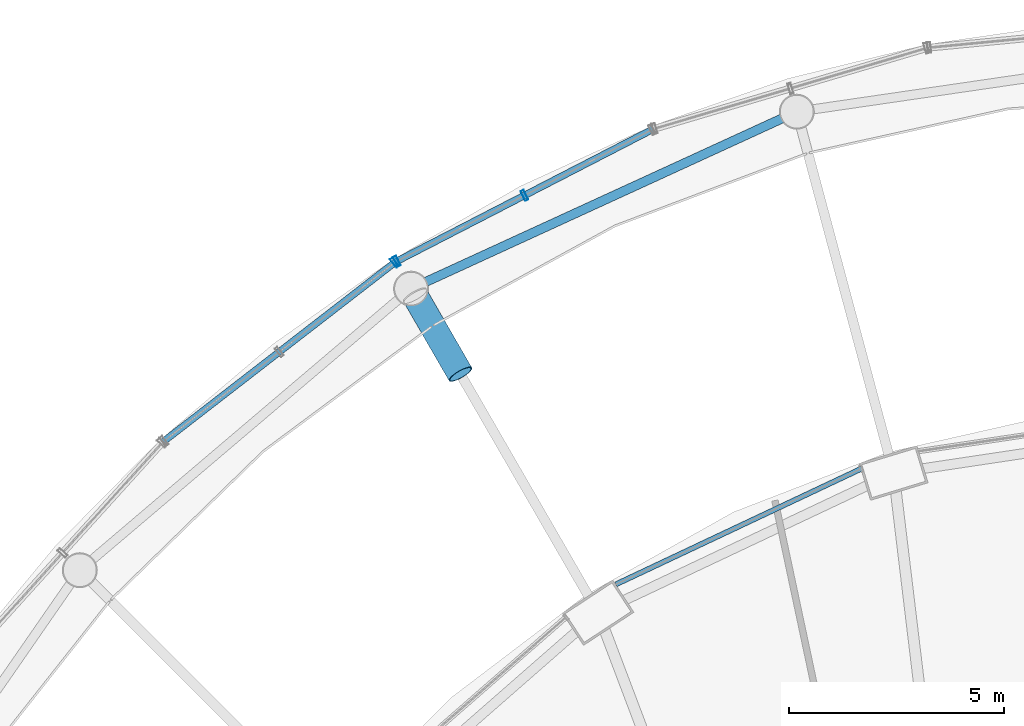
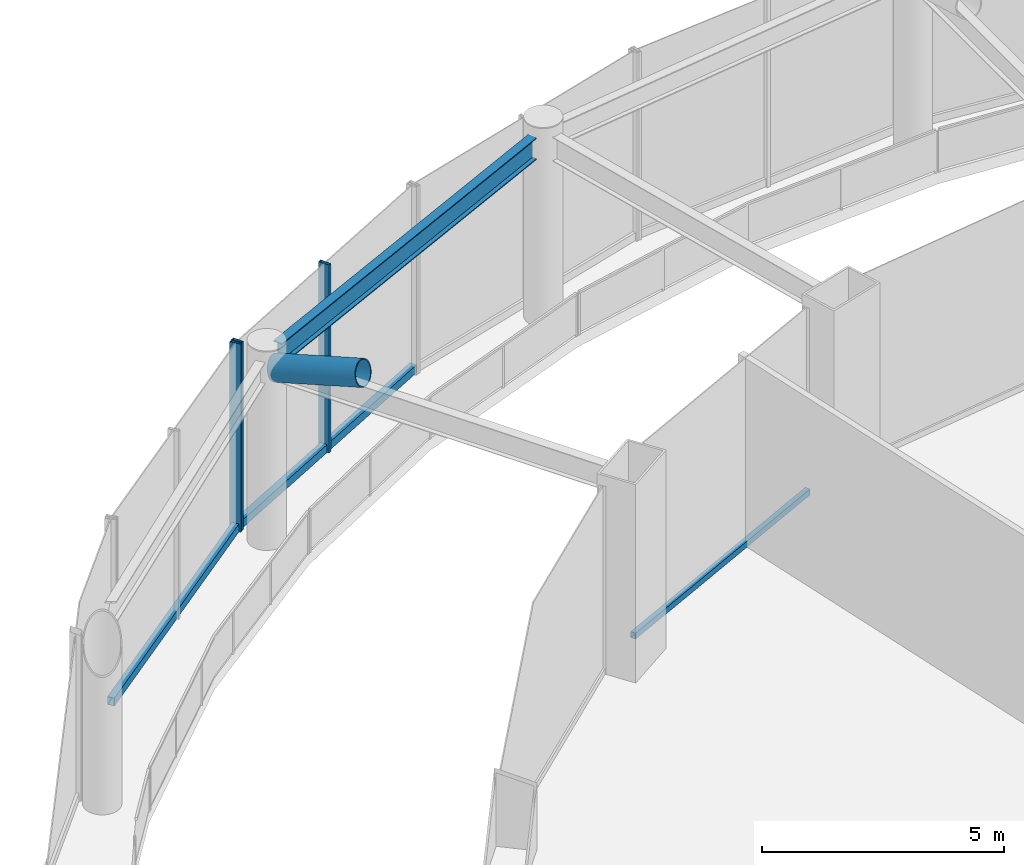
# One storey, part 33 of 52: 7 members, 1 beam, 3 elements without a shape of their own.
"""IFC4 building model written with IfcOpenShell, lengths in metres."""

import ifcopenshell
import ifcopenshell.guid

model = None  # the IFC model being written
_history = None  # IfcOwnerHistory: only IFC2X3 demands one
_inside = {}  # id of a spatial element -> (the spatial element, [elements in it])
_under = {}  # id of a project, library or spatial element -> (it, [spatial elements below it])
_declared = {}  # id of a project -> (the project, [libraries it declares])
_typed = {}  # id of a type object -> (the type object, [elements of that type])
_made_of = {}  # id of a material, layer set ... -> (it, [elements and type objects made of it])


def new_model(schema):
    """Start an empty IFC model of exactly this schema.

    Asked for "IFC4X3", IfcOpenShell would pick the latest addendum, in which some entities
    have other attributes; the version numbers below select the first issue.
    IFC2X3 requires an IfcOwnerHistory on every rooted entity: one is made here for all.
    """
    global model, _history
    if schema == "IFC4X3":
        model = ifcopenshell.file(schema_version=(4, 3, 0, 0))
    else:
        model = ifcopenshell.file(schema=schema)
    _inside.clear()
    _under.clear()
    _declared.clear()
    _typed.clear()
    _made_of.clear()
    _history = None
    if model.schema == "IFC2X3":
        org = make("IfcOrganization", Name="unknown")
        user = make(
            "IfcPersonAndOrganization",
            ThePerson=make("IfcPerson", FamilyName="unknown"),
            TheOrganization=org,
        )
        app = make(
            "IfcApplication",
            ApplicationDeveloper=org,
            Version="unknown",
            ApplicationFullName="unknown",
            ApplicationIdentifier="unknown",
        )
        _history = make(
            "IfcOwnerHistory",
            OwningUser=user,
            OwningApplication=app,
            ChangeAction="ADDED",
            CreationDate=0,
        )
    return model


def make(cls, **values):
    """One entity of the class cls with the attributes given. An attribute that is None is left unset."""
    return model.create_entity(
        cls, **{name: value for name, value in values.items() if value is not None}
    )


def rooted(cls, **values):
    """An entity with a GlobalId (a new one), such as an element, a storey or a relation."""
    return make(cls, GlobalId=ifcopenshell.guid.new(), OwnerHistory=_history, **values)


def si_unit(unit_type, name, prefix=None):
    """IfcSIUnit, for example si_unit("LENGTHUNIT", "METRE", prefix="MILLI")."""
    return make("IfcSIUnit", UnitType=unit_type, Prefix=prefix, Name=name)


def assignment(units):
    """IfcUnitAssignment: the units of a project."""
    return None if units is None else make("IfcUnitAssignment", Units=units)


def point(xyz):
    """IfcCartesianPoint."""
    return None if xyz is None else make("IfcCartesianPoint", Coordinates=xyz)


def direction(xyz):
    """IfcDirection."""
    return None if xyz is None else make("IfcDirection", DirectionRatios=xyz)


def frame(location, z_axis=None, x_axis=None):
    """IfcAxis2Placement3D, a coordinate frame: its origin and axes. An axis left out is left unset."""
    return make(
        "IfcAxis2Placement3D",
        Location=point(location),
        Axis=direction(z_axis),
        RefDirection=direction(x_axis),
    )


def frame_2d(location, x_axis=None):
    """IfcAxis2Placement2D, a coordinate frame in the plane: its origin and x axis."""
    return make(
        "IfcAxis2Placement2D", Location=point(location), RefDirection=direction(x_axis)
    )


def origin():
    """The frame at (0, 0, 0) with its axes left unset."""
    return frame((0.0, 0.0, 0.0))


def origin_2d():
    """The frame at (0, 0) in the plane with its x axis left unset."""
    return frame_2d((0.0, 0.0))


def place(relative_to, where):
    """IfcLocalPlacement: puts the frame where relative to a parent placement (None: the world)."""
    return make(
        "IfcLocalPlacement", PlacementRelTo=relative_to, RelativePlacement=where
    )


def context(
    kind, dimensions, precision=None, world=None, true_north=None, identifier=None
):
    """IfcGeometricRepresentationContext, for example the 3D "Model" context."""
    return make(
        "IfcGeometricRepresentationContext",
        ContextIdentifier=identifier,
        ContextType=kind,
        CoordinateSpaceDimension=dimensions,
        Precision=precision,
        WorldCoordinateSystem=world,
        TrueNorth=true_north,
    )


def subcontext(parent, identifier, kind, view, scale=None):
    """IfcGeometricRepresentationSubContext, for example "Body" below "Model"."""
    return make(
        "IfcGeometricRepresentationSubContext",
        ContextIdentifier=identifier,
        ContextType=kind,
        ParentContext=parent,
        TargetScale=scale,
        TargetView=view,
    )


def project(units=None, contexts=None):
    """IfcProject with its units and contexts."""
    return rooted(
        "IfcProject",
        Name="project",
        RepresentationContexts=contexts,
        UnitsInContext=assignment(units),
    )


def spatial(cls, under=None, at=None, **own):
    """A site, building, storey or space (cls), placed at a placement, below another one or the project."""
    s = rooted(cls, ObjectPlacement=at, **own)
    if under is not None:
        _under.setdefault(under.id(), (under, []))[1].append(s)
    return s


def profile(cls, at=None, kind="AREA", **sizes):
    """A parametric profile (cls). Its sizes go by their IFC names, for example OverallWidth=200.0."""
    return make(cls, ProfileType=kind, Position=at, **sizes)


def hollow_rectangle(**sizes):
    """IfcRectangleHollowProfileDef."""
    return profile("IfcRectangleHollowProfileDef", **sizes)


def hollow_circle(**sizes):
    """IfcCircleHollowProfileDef."""
    return profile("IfcCircleHollowProfileDef", **sizes)


def i_section(**sizes):
    """IfcIShapeProfileDef."""
    return profile("IfcIShapeProfileDef", **sizes)


def extrude(swept, where, along, depth):
    """IfcExtrudedAreaSolid: the profile swept, set in the frame where, extruded along a direction by depth."""
    return make(
        "IfcExtrudedAreaSolid",
        SweptArea=swept,
        Position=where,
        ExtrudedDirection=direction(along),
        Depth=depth,
    )


def shape(context_of_items, identifier, shape_type, items):
    """IfcShapeRepresentation: the items that make up one representation, for example the "Body"."""
    return make(
        "IfcShapeRepresentation",
        ContextOfItems=context_of_items,
        RepresentationIdentifier=identifier,
        RepresentationType=shape_type,
        Items=items,
    )


def material(Name=None, Category=None):
    """IfcMaterial."""
    return make("IfcMaterial", Name=Name, Category=Category)


def layer(
    of_material, thickness, ventilated=None, Name=None, Category=None, Priority=None
):
    """IfcMaterialLayer: one layer of a wall or slab, of a material (None: an air gap)."""
    return make(
        "IfcMaterialLayer",
        Material=of_material,
        LayerThickness=thickness,
        IsVentilated=ventilated,
        Name=Name,
        Category=Category,
        Priority=Priority,
    )


def layer_set(layers, Name=None):
    """IfcMaterialLayerSet."""
    return make("IfcMaterialLayerSet", MaterialLayers=layers, LayerSetName=Name)


def material_profile(
    of_material, cross_section, Name=None, Category=None, Priority=None
):
    """IfcMaterialProfile: a cross section and its material."""
    return make(
        "IfcMaterialProfile",
        Name=Name,
        Material=of_material,
        Profile=cross_section,
        Priority=Priority,
        Category=Category,
    )


def profile_set(profiles, Name=None, composite=None):
    """IfcMaterialProfileSet."""
    return make(
        "IfcMaterialProfileSet",
        Name=Name,
        MaterialProfiles=profiles,
        CompositeProfile=composite,
    )


def made_of(thing, what):
    """Note that an element or type object is made of a material, layer set ...; save() writes the relation."""
    if what is not None:
        _made_of.setdefault(what.id(), (what, []))[1].append(thing)
    return thing


def type_object(cls, material=None, **own):
    """A type object (cls), such as IfcWallType, which elements share."""
    return made_of(rooted(cls, **own), material)


def element(
    cls,
    number,
    at=None,
    inside=None,
    cuts=None,
    type_object=None,
    material=None,
    context=None,
    identifier="Body",
    shape_type=None,
    held_by="IfcProductDefinitionShape",
    body=None,
    shapes=None,
    **own,
):
    """One element of the class cls, such as IfcWall. Its Tag is "e" and its number.

    at: its placement. inside: the storey or other place that contains it. cuts: it is an
    opening in that element (IfcRelVoidsElement). A single representation is given by context,
    identifier, shape_type and body (its items); several are given by shapes. held_by: the class
    of the entity that holds the representations. save() writes the other relations.
    """
    e = rooted(cls, Tag="e%d" % number, ObjectPlacement=at, **own)
    if body is not None:
        shapes = [shape(context, identifier, shape_type, body)]
    if shapes is not None:
        e.Representation = make(held_by, Representations=shapes)
    if inside is not None:
        _inside.setdefault(inside.id(), (inside, []))[1].append(e)
    if cuts is not None:
        rooted(
            "IfcRelVoidsElement", RelatingBuildingElement=cuts, RelatedOpeningElement=e
        )
    if type_object is not None:
        _typed.setdefault(type_object.id(), (type_object, []))[1].append(e)
    return made_of(e, material)


def aggregate(whole, parts):
    """IfcRelAggregates: a whole, such as a stair, and the parts it consists of."""
    return rooted("IfcRelAggregates", RelatingObject=whole, RelatedObjects=parts)


def save(model, path):
    """Write the relations noted so far, then the file.

    IfcRelAggregates (storeys below a building ...), IfcRelContainedInSpatialStructure (elements
    in a storey), IfcRelDefinesByType, IfcRelAssociatesMaterial and IfcRelDeclares: one each for
    every whole, place, type object, material and project.
    """
    for whole, parts in _under.values():
        aggregate(whole, parts)
    for where, things in _inside.values():
        rooted(
            "IfcRelContainedInSpatialStructure",
            RelatedElements=things,
            RelatingStructure=where,
        )
    for kind, things in _typed.values():
        rooted("IfcRelDefinesByType", RelatedObjects=things, RelatingType=kind)
    for what, things in _made_of.values():
        rooted("IfcRelAssociatesMaterial", RelatedObjects=things, RelatingMaterial=what)
    for by, libraries in _declared.values():
        rooted("IfcRelDeclares", RelatingContext=by, RelatedDefinitions=libraries)
    model.write(path)


model = new_model("IFC4")

# Units and contexts
model_context = context("Model", 3, precision=1e-05, world=origin(), true_north=direction((0.0, 1.0)))
body_context = subcontext(model_context, "Body", "Model", "MODEL_VIEW")
ifc_project = project(units=[si_unit("LENGTHUNIT", "METRE"), si_unit("AREAUNIT", "SQUARE_METRE"), si_unit("VOLUMEUNIT", "CUBIC_METRE"), si_unit("PLANEANGLEUNIT", "RADIAN"), si_unit("MASSUNIT", "GRAM", prefix="KILO")], contexts=[model_context])

# Site, building, storey
site_placement = place(None, origin())
site = spatial("IfcSite", under=ifc_project, at=site_placement, CompositionType="ELEMENT")
building_placement = place(site_placement, origin())
building = spatial("IfcBuilding", under=site, at=building_placement, Name="Nagisa Residences", CompositionType="ELEMENT")
storey_placement = place(building_placement, frame((0.0, 0.0, 22.0)))
storey = spatial("IfcBuildingStorey", under=building, at=storey_placement, Name="L04", CompositionType="ELEMENT", Elevation=22.0)

# Beam
ifc_material_1 = material(Name="Steel ASTM A572 Gr 50", Category="steel")
ifc_material_profile_1 = material_profile(ifc_material_1, i_section(OverallWidth=0.214111328125, OverallDepth=0.549072265625, WebThickness=0.0146484375, FlangeThickness=0.023681640625, at=origin_2d()), Name="W530x138")
ifc_profile_set_1 = profile_set([ifc_material_profile_1], Name="Steel ASTM A572 Gr 50")
beam_type = type_object("IfcBeamType", Name="Atrium ring beam W530x138", PredefinedType="BEAM", material=ifc_profile_set_1)
beam_placement = place(storey_placement, frame((-6.37939453125, 39.635009765625, 4.4755859375), z_axis=(-0.908914420706, -0.416982704477, 0.0), x_axis=(0.416982704477, -0.908914420706, 0.0)))
element("IfcBeam", 1, at=beam_placement, inside=storey, type_object=beam_type, Name="beam:L04:rab08", PredefinedType="BEAM", context=body_context, shape_type="SweptSolid", body=[
    extrude(i_section(OverallWidth=0.214111328125, OverallDepth=0.549072265625, WebThickness=0.0146484375, FlangeThickness=0.023681640625, at=origin_2d()), origin(), (0.0, 0.0, 1.0), 9.097900390625),
])

# Curtain wall, members
ifc_material_2 = material(Name="Stainless steel curtain wall system", Category="steel")
ifc_layer_1 = layer(ifc_material_2, 0.159912109375)
ifc_layer_set_1 = layer_set([ifc_layer_1], Name="CW3 CURTAIN WALL")
curtain_wall_type_1 = type_object("IfcCurtainWallType", Name="CW3 CURTAIN WALL", PredefinedType="NOTDEFINED", material=ifc_layer_set_1)
curtain_wall_1_placement = place(storey_placement, origin())
curtain_wall_1 = element("IfcCurtainWall", 2, at=curtain_wall_1_placement, inside=storey, type_object=curtain_wall_type_1, Name="cw:CW3:L04:11", PredefinedType="NOTDEFINED")
ifc_material_3 = material(Name="Stainless steel", Category="steel")
ifc_material_profile_2 = material_profile(ifc_material_3, hollow_rectangle(XDim=0.25, YDim=0.080078125, WallThickness=0.008056640625, at=origin_2d()), Name="CW3 MULLION 250x80")
ifc_profile_set_2 = profile_set([ifc_material_profile_2], Name="Stainless steel")
member_type_1 = type_object("IfcMemberType", Name="CW3 MULLION 250x80", PredefinedType="MULLION", material=ifc_profile_set_2)
member_1_placement = place(storey_placement, frame((-12.36181640625, 37.848876953125, 0.0), z_axis=(0.0, 0.0, 1.0), x_axis=(0.45812598783, -0.888887270285, 0.0)))
member_1 = element("IfcMember", 3, at=member_1_placement, type_object=member_type_1, Name="CW3 mullion", PredefinedType="MULLION", context=body_context, shape_type="SweptSolid", body=[
    extrude(hollow_rectangle(XDim=0.25, YDim=0.080078125, WallThickness=0.008056640625, at=origin_2d()), origin(), (0.0, 0.0, 1.0), 4.739990234375),
])
member_2_placement = place(storey_placement, frame((-15.327880859375, 36.3203125, 0.0), z_axis=(0.0, 0.0, 1.0), x_axis=(0.45812598783, -0.888887270285, 0.0)))
member_2 = element("IfcMember", 4, at=member_2_placement, type_object=member_type_1, Name="CW3 mullion", PredefinedType="MULLION", context=body_context, shape_type="SweptSolid", body=[
    extrude(hollow_rectangle(XDim=0.25, YDim=0.080078125, WallThickness=0.008056640625, at=origin_2d()), origin(), (0.0, 0.0, 1.0), 4.739990234375),
])

# Curtain wall, member
curtain_wall_2_placement = place(storey_placement, origin())
curtain_wall_2 = element("IfcCurtainWall", 5, at=curtain_wall_2_placement, inside=storey, type_object=curtain_wall_type_1, Name="cw:CW3:L04:12", PredefinedType="NOTDEFINED")
member_3_placement = place(storey_placement, frame((-15.382568359375, 36.285400390625, 0.0), z_axis=(0.0, 0.0, 1.0), x_axis=(0.612034757172, -0.790830864353, 0.0)))
member_3 = element("IfcMember", 6, at=member_3_placement, type_object=member_type_1, Name="CW3 mullion", PredefinedType="MULLION", context=body_context, shape_type="SweptSolid", body=[
    extrude(hollow_rectangle(XDim=0.25, YDim=0.080078125, WallThickness=0.008056640625, at=origin_2d()), origin(), (0.0, 0.0, 1.0), 4.739990234375),
])

# Member
ifc_material_4 = material(Name="Stainless steel", Category="steel")
ifc_material_profile_3 = material_profile(ifc_material_4, hollow_rectangle(XDim=0.159912109375, YDim=0.199951171875, WallThickness=0.008056640625, at=origin_2d()), Name="CW3 TRANSOM 160x200")
ifc_profile_set_3 = profile_set([ifc_material_profile_3], Name="Stainless steel")
member_type_2 = type_object("IfcMemberType", Name="CW3 TRANSOM 160x200", PredefinedType="USERDEFINED", material=ifc_profile_set_3)
member_4_placement = place(storey_placement, frame((-9.360107421875, 39.39599609375, 0.10009765625), z_axis=(-0.888887130152, -0.458126259726, 0.0), x_axis=(0.458126259726, -0.888887130152, 0.0)))
member_4 = element("IfcMember", 7, at=member_4_placement, type_object=member_type_2, Name="CW3 transom", ObjectType="TRANSOM", PredefinedType="USERDEFINED", context=body_context, shape_type="SweptSolid", body=[
    extrude(hollow_rectangle(XDim=0.159912109375, YDim=0.199951171875, WallThickness=0.008056640625, at=origin_2d()), origin(), (0.0, 0.0, 1.0), 6.753662109375),
])

aggregate(curtain_wall_1, [member_1, member_2, member_4])

member_5_placement = place(storey_placement, frame((-15.35107421875, 36.309814453125, 0.10009765625), z_axis=(-0.790821490188, -0.612046869656, 0.0), x_axis=(0.612046869656, -0.790821490188, 0.0)))
member_5 = element("IfcMember", 8, at=member_5_placement, type_object=member_type_2, Name="CW3 transom", ObjectType="TRANSOM", PredefinedType="USERDEFINED", context=body_context, shape_type="SweptSolid", body=[
    extrude(hollow_rectangle(XDim=0.159912109375, YDim=0.199951171875, WallThickness=0.008056640625, at=origin_2d()), origin(), (0.0, 0.0, 1.0), 6.86083984375),
])

aggregate(curtain_wall_2, [member_3, member_5])

# Curtain wall, member
ifc_material_5 = material(Name="Stainless steel curtain wall system", Category="steel")
ifc_layer_2 = layer(ifc_material_5, 0.159912109375)
ifc_layer_set_2 = layer_set([ifc_layer_2], Name="CW6 CURTAIN WALL")
curtain_wall_type_2 = type_object("IfcCurtainWallType", Name="CW6 CURTAIN WALL", PredefinedType="NOTDEFINED", material=ifc_layer_set_2)
curtain_wall_3_placement = place(storey_placement, origin())
curtain_wall_3 = element("IfcCurtainWall", 9, at=curtain_wall_3_placement, inside=storey, type_object=curtain_wall_type_2, Name="cw:CW6:L04:14", PredefinedType="NOTDEFINED")
ifc_material_6 = material(Name="Stainless steel", Category="steel")
ifc_material_profile_4 = material_profile(ifc_material_6, hollow_rectangle(XDim=0.1201171875, YDim=0.14990234375, WallThickness=0.008056640625, at=origin_2d()), Name="CW6 TRANSOM 120x150")
ifc_profile_set_4 = profile_set([ifc_material_profile_4], Name="Stainless steel")
member_type_3 = type_object("IfcMemberType", Name="CW6 TRANSOM 120x150", PredefinedType="USERDEFINED", material=ifc_profile_set_4)
member_6_placement = place(storey_placement, frame((-4.5048828125, 31.504638671875, 0.074951171875), z_axis=(-0.904558144684, -0.426350281911, 0.0), x_axis=(0.426350281911, -0.904558144684, 0.0)))
member_6 = element("IfcMember", 10, at=member_6_placement, type_object=member_type_3, Name="CW6 transom", ObjectType="TRANSOM", PredefinedType="USERDEFINED", context=body_context, shape_type="SweptSolid", body=[
    extrude(hollow_rectangle(XDim=0.1201171875, YDim=0.14990234375, WallThickness=0.008056640625, at=origin_2d()), origin(), (0.0, 0.0, 1.0), 6.33203125),
])
aggregate(curtain_wall_3, [member_6])

# Member
ifc_material_7 = material(Name="Steel ASTM A572 Gr 65", Category="steel")
ifc_material_profile_5 = material_profile(ifc_material_7, hollow_circle(Radius=0.304931640625, WallThickness=0.02490234375, at=origin_2d()), Name="CHS 610x25")
ifc_profile_set_5 = profile_set([ifc_material_profile_5], Name="Steel ASTM A572 Gr 65")
member_type_4 = type_object("IfcMemberType", Name="Cage strut CHS 610x25", PredefinedType="STRUT", material=ifc_profile_set_5)
member_7_placement = place(storey_placement, frame((-13.85009765625, 33.6884765625, 5.0), z_axis=(-0.480696439392, 0.832722738844, -0.274779499541), x_axis=(-0.866059744384, -0.49994051562, 0.0)))
element("IfcMember", 11, at=member_7_placement, inside=storey, type_object=member_type_4, Name="mem:L04:cg1tie05", PredefinedType="STRUT", context=body_context, shape_type="SweptSolid", body=[
    extrude(hollow_circle(Radius=0.304931640625, WallThickness=0.02490234375, at=origin_2d()), origin(), (0.0, 0.0, 1.0), 2.183837890625),
])

save(model, "model.ifc")
